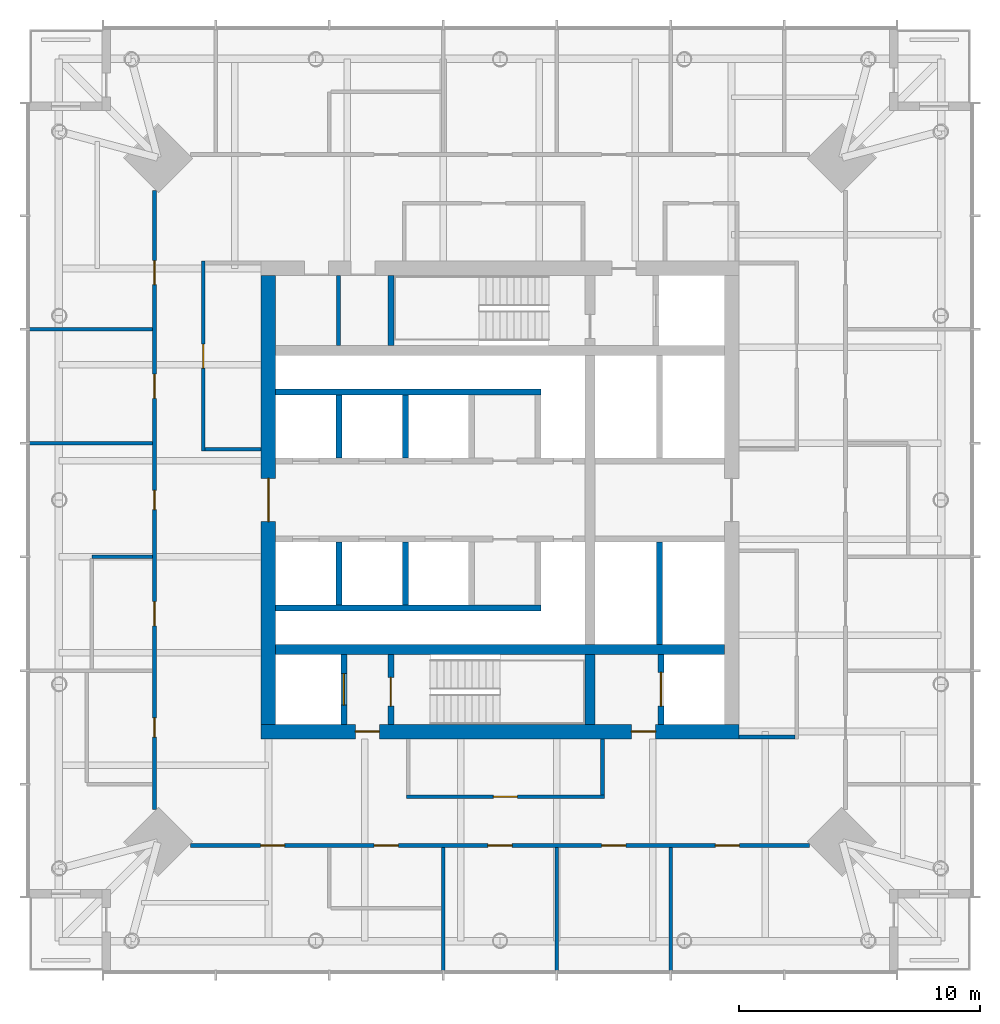
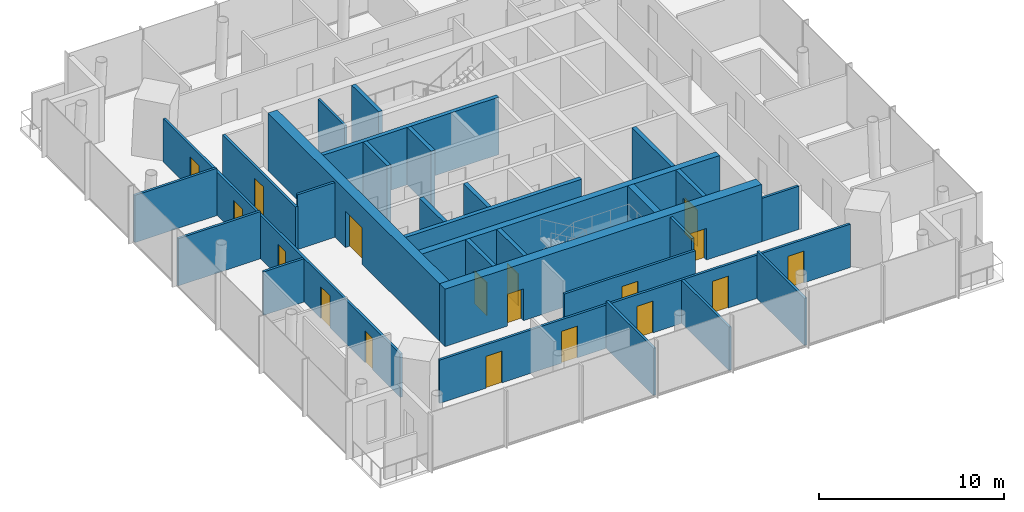
# One storey, part 4 of 7: 29 walls, 18 doors, 18 openings.
"""IFC4 building model written with IfcOpenShell, lengths in metres."""

from ifc_helpers import new_model, si_unit, direction, frame, frame_2d, origin, place, context, subcontext, project, spatial, rectangle, extrude, material, layer, layer_set, type_object, element, fill, save


model = new_model("IFC4")

# Units and contexts
model_context = context("Model", 3, precision=1e-05, world=origin(), true_north=direction((0.0, 1.0)))
body_context = subcontext(model_context, "Body", "Model", "MODEL_VIEW")
ifc_project = project(units=[si_unit("LENGTHUNIT", "METRE"), si_unit("AREAUNIT", "SQUARE_METRE"), si_unit("VOLUMEUNIT", "CUBIC_METRE"), si_unit("PLANEANGLEUNIT", "RADIAN"), si_unit("MASSUNIT", "GRAM", prefix="KILO")], contexts=[model_context])

# Site, building, storey
site_placement = place(None, origin())
site = spatial("IfcSite", under=ifc_project, at=site_placement, CompositionType="ELEMENT")
building_placement = place(site_placement, origin())
building = spatial("IfcBuilding", under=site, at=building_placement, Name="Ostroluk Exchange", CompositionType="ELEMENT")
storey_placement = place(building_placement, frame((0.0, 0.0, 199.60009765625)))
storey = spatial("IfcBuildingStorey", under=building, at=storey_placement, Name="L51", CompositionType="ELEMENT", Elevation=199.60009765625)

# Walls
ifc_material_1 = material(Name="Concrete blockwork", Category="masonry")
ifc_layer_1 = layer(ifc_material_1, 0.14990234375)
ifc_layer_set_1 = layer_set([ifc_layer_1], Name="Blockwork plant room wall 150")
wall_type_1 = type_object("IfcWallType", Name="Blockwork plant room wall 150", PredefinedType="SOLIDWALL", material=ifc_layer_set_1)
wall_1_placement = place(storey_placement, frame((38.303955078125, 52.39990234375, 0.0), z_axis=(0.0, 0.0, 1.0), x_axis=(0.0, 1.0, 0.0)))
element("IfcWall", 1, at=wall_1_placement, inside=storey, type_object=wall_type_1, Name="Core room wall", PredefinedType="SOLIDWALL", context=body_context, shape_type="SweptSolid", body=[
    extrude(rectangle(XDim=2.900146484375, YDim=0.14990234375, at=frame_2d((1.4501953125, 0.0))), origin(), (0.0, 0.0, 1.0), 3.619873046875),
])
ifc_material_2 = material(Name="Concrete C50/60", Category="concrete")
ifc_layer_2 = layer(ifc_material_2, 0.39990234375)
ifc_layer_set_2 = layer_set([ifc_layer_2], Name="Core cross wall 400 C50/60")
wall_type_2 = type_object("IfcWallType", Name="Core cross wall 400 C50/60", PredefinedType="SHEAR", material=ifc_layer_set_2)
wall_2_placement = place(storey_placement, frame((35.699951171875, 39.800048828125, 0.0), z_axis=(0.0, 0.0, 1.0), x_axis=(1.0, 0.0, 0.0)))
element("IfcWall", 2, at=wall_2_placement, inside=storey, type_object=wall_type_2, Name="T1 core wall XS", PredefinedType="SHEAR", context=body_context, shape_type="SweptSolid", body=[
    extrude(rectangle(XDim=18.60009765625, YDim=0.39990234375, at=frame_2d((9.300048828125, 0.0))), origin(), (0.0, 0.0, 1.0), 3.7998046875),
])
wall_3_placement = place(storey_placement, frame((48.72998046875, 36.699951171875, 0.0), z_axis=(0.0, 0.0, 1.0), x_axis=(0.0, 1.0, 0.0)))
element("IfcWall", 3, at=wall_3_placement, inside=storey, type_object=wall_type_2, Name="T1 core wall YE1", PredefinedType="SHEAR", context=body_context, shape_type="SweptSolid", body=[
    extrude(rectangle(XDim=2.900146484375, YDim=0.39990234375, at=frame_2d((1.4501953125, 0.0))), origin(), (0.0, 0.0, 1.0), 3.7998046875),
])

# Wall, opening, door
ifc_material_3 = material(Name="Concrete C40/50", Category="concrete")
ifc_layer_3 = layer(ifc_material_3, 0.25)
ifc_layer_set_3 = layer_set([ifc_layer_3], Name="Core shaft wall 250")
wall_type_3 = type_object("IfcWallType", Name="Core shaft wall 250", PredefinedType="SHEAR", material=ifc_layer_set_3)
wall_4_placement = place(storey_placement, frame((38.52490234375, 36.699951171875, 0.0), z_axis=(0.0, 0.0, 1.0), x_axis=(0.0, 1.0, 0.0)))
wall_4 = element("IfcWall", 4, at=wall_4_placement, inside=storey, type_object=wall_type_3, Name="Firefighting lift shaft wall", PredefinedType="SHEAR", context=body_context, shape_type="SweptSolid", body=[
    extrude(rectangle(XDim=2.900146484375, YDim=0.25, at=frame_2d((1.4501953125, 0.0))), origin(), (0.0, 0.0, 1.0), 3.7998046875),
])
opening_1_placement = place(wall_4_placement, frame((0.800048828125, 0.0, 0.0)))
opening_1 = element("IfcOpeningElement", 5, at=opening_1_placement, cuts=wall_4, Name="Opening LD2", PredefinedType="OPENING", context=body_context, shape_type="SweptSolid", body=[
    extrude(rectangle(XDim=1.300048828125, YDim=2.199951171875, at=frame_2d((0.64990234375, 1.10009765625))), frame((0.0, 0.135009765625, 0.0), z_axis=(0.0, -1.0, 0.0), x_axis=(1.0, 0.0, 0.0)), (0.0, 0.0, 1.0), 0.27001953125),
])
ifc_material_4 = material(Name="Stainless steel", Category="steel")
door_type_1 = type_object("IfcDoorType", Name="Lift landing door E 60 1300 x 2200", OperationType="DOUBLE_DOOR_SLIDING", PredefinedType="DOOR", material=ifc_material_4)
door_1_placement = place(opening_1_placement, origin())
door_1 = element("IfcDoor", 6, at=door_1_placement, inside=storey, type_object=door_type_1, Name="Lift FL1 landing door", OperationType="DOUBLE_DOOR_SLIDING", OverallHeight=2.199951171875, OverallWidth=1.300048828125, PredefinedType="DOOR", context=body_context, shape_type="SweptSolid", body=[
    extrude(rectangle(XDim=1.300048828125, YDim=2.199951171875, at=frame_2d((0.64990234375, 1.10009765625))), frame((0.0, 0.02490234375, 0.0), z_axis=(0.0, -1.0, 0.0), x_axis=(1.0, 0.0, 0.0)), (0.0, 0.0, 1.0), 0.050048828125),
])
fill(opening_1, door_1)

wall_5_placement = place(storey_placement, frame((40.47509765625, 36.699951171875, 0.0), z_axis=(0.0, 0.0, 1.0), x_axis=(0.0, 1.0, 0.0)))
wall_5 = element("IfcWall", 7, at=wall_5_placement, inside=storey, type_object=wall_type_3, Name="Stair shaft wall", PredefinedType="SHEAR", context=body_context, shape_type="SweptSolid", body=[
    extrude(rectangle(XDim=2.900146484375, YDim=0.25, at=frame_2d((1.4501953125, 0.0))), origin(), (0.0, 0.0, 1.0), 3.7998046875),
])
opening_2_placement = place(wall_5_placement, frame((0.75, 0.0, 0.0)))
opening_2 = element("IfcOpeningElement", 8, at=opening_2_placement, cuts=wall_5, Name="Opening FD60S", PredefinedType="OPENING", context=body_context, shape_type="SweptSolid", body=[
    extrude(rectangle(XDim=1.199951171875, YDim=2.10009765625, at=frame_2d((0.60009765625, 1.050048828125))), frame((0.0, 0.135009765625, 0.0), z_axis=(0.0, -1.0, 0.0), x_axis=(1.0, 0.0, 0.0)), (0.0, 0.0, 1.0), 0.27001953125),
])
ifc_material_5 = material(Name="Steel", Category="steel")
door_type_2 = type_object("IfcDoorType", Name="Stair door EI 60 1200 x 2100", OperationType="SINGLE_SWING_LEFT", PredefinedType="DOOR", material=ifc_material_5)
door_2_placement = place(opening_2_placement, origin())
door_2 = element("IfcDoor", 9, at=door_2_placement, inside=storey, type_object=door_type_2, Name="Stair T1-S1 door", OperationType="SINGLE_SWING_LEFT", OverallHeight=2.10009765625, OverallWidth=1.199951171875, PredefinedType="DOOR", context=body_context, shape_type="SweptSolid", body=[
    extrude(rectangle(XDim=1.199951171875, YDim=2.10009765625, at=frame_2d((0.60009765625, 1.050048828125))), frame((0.0, 0.02490234375, 0.0), z_axis=(0.0, -1.0, 0.0), x_axis=(1.0, 0.0, 0.0)), (0.0, 0.0, 1.0), 0.050048828125),
])
fill(opening_2, door_2)

wall_6_placement = place(storey_placement, frame((51.675048828125, 36.699951171875, 0.0), z_axis=(0.0, 0.0, 1.0), x_axis=(0.0, 1.0, 0.0)))
wall_6 = element("IfcWall", 10, at=wall_6_placement, inside=storey, type_object=wall_type_3, Name="Service lift shaft wall", PredefinedType="SHEAR", context=body_context, shape_type="SweptSolid", body=[
    extrude(rectangle(XDim=2.900146484375, YDim=0.25, at=frame_2d((1.4501953125, 0.0))), origin(), (0.0, 0.0, 1.0), 3.7998046875),
])
opening_3_placement = place(wall_6_placement, frame((0.75, 0.0, 0.0)))
opening_3 = element("IfcOpeningElement", 11, at=opening_3_placement, cuts=wall_6, Name="Opening LD3", PredefinedType="OPENING", context=body_context, shape_type="SweptSolid", body=[
    extrude(rectangle(XDim=1.39990234375, YDim=2.39990234375, at=frame_2d((0.699951171875, 1.199951171875))), frame((0.0, 0.135009765625, 0.0), z_axis=(0.0, -1.0, 0.0), x_axis=(1.0, 0.0, 0.0)), (0.0, 0.0, 1.0), 0.27001953125),
])
ifc_material_6 = material(Name="Stainless steel", Category="steel")
door_type_3 = type_object("IfcDoorType", Name="Goods lift landing door E 60 1400 x 2400", OperationType="DOUBLE_DOOR_SLIDING", PredefinedType="DOOR", material=ifc_material_6)
door_3_placement = place(opening_3_placement, origin())
door_3 = element("IfcDoor", 12, at=door_3_placement, inside=storey, type_object=door_type_3, Name="Lift SL1 landing door", OperationType="DOUBLE_DOOR_SLIDING", OverallHeight=2.39990234375, OverallWidth=1.39990234375, PredefinedType="DOOR", context=body_context, shape_type="SweptSolid", body=[
    extrude(rectangle(XDim=1.39990234375, YDim=2.39990234375, at=frame_2d((0.699951171875, 1.199951171875))), frame((0.0, 0.02490234375, 0.0), z_axis=(0.0, -1.0, 0.0), x_axis=(1.0, 0.0, 0.0)), (0.0, 0.0, 1.0), 0.050048828125),
])
fill(opening_3, door_3)

# Walls
wall_7_placement = place(storey_placement, frame((40.47509765625, 52.39990234375, 0.0), z_axis=(0.0, 0.0, 1.0), x_axis=(0.0, 1.0, 0.0)))
element("IfcWall", 13, at=wall_7_placement, inside=storey, type_object=wall_type_3, Name="Stair shaft wall", PredefinedType="SHEAR", context=body_context, shape_type="SweptSolid", body=[
    extrude(rectangle(XDim=2.900146484375, YDim=0.25, at=frame_2d((1.4501953125, 0.0))), origin(), (0.0, 0.0, 1.0), 3.7998046875),
])
for number, where, z_axis, x_axis, name in (
    (14, (38.324951171875, 47.75, 0.0), (0.0, 0.0, 1.0), (0.0, 1.0, 0.0), "Lift shaft wall"),
    (15, (41.074951171875, 47.75, 0.0), (0.0, 0.0, 1.0), (0.0, 1.0, 0.0), "Lift shaft wall"),
):
    element("IfcWall", number, at=place(storey_placement, frame(where, z_axis=z_axis, x_axis=x_axis)), inside=storey, type_object=wall_type_3, Name=name, PredefinedType="SHEAR", context=body_context, shape_type="SweptSolid", body=[
        extrude(rectangle(XDim=2.60009765625, YDim=0.25, at=frame_2d((1.300048828125, 0.0))), origin(), (0.0, 0.0, 1.0), 3.7998046875),
    ])
wall_8_placement = place(storey_placement, frame((35.699951171875, 50.47509765625, 0.0), z_axis=(0.0, 0.0, 1.0), x_axis=(1.0, 0.0, 0.0)))
element("IfcWall", 16, at=wall_8_placement, inside=storey, type_object=wall_type_3, Name="Lift shaft wall", PredefinedType="SHEAR", context=body_context, shape_type="SweptSolid", body=[
    extrude(rectangle(XDim=11.0, YDim=0.25, at=frame_2d((5.5, 0.0))), origin(), (0.0, 0.0, 1.0), 3.7998046875),
])
for number, where, z_axis, x_axis, name in (
    (17, (38.324951171875, 44.25, 0.0), (0.0, 0.0, 1.0), (0.0, -1.0, 0.0), "Lift shaft wall"),
    (18, (41.074951171875, 44.25, 0.0), (0.0, 0.0, 1.0), (0.0, -1.0, 0.0), "Lift shaft wall"),
):
    element("IfcWall", number, at=place(storey_placement, frame(where, z_axis=z_axis, x_axis=x_axis)), inside=storey, type_object=wall_type_3, Name=name, PredefinedType="SHEAR", context=body_context, shape_type="SweptSolid", body=[
        extrude(rectangle(XDim=2.60009765625, YDim=0.25, at=frame_2d((1.300048828125, 0.0))), origin(), (0.0, 0.0, 1.0), 3.7998046875),
    ])
wall_9_placement = place(storey_placement, frame((35.699951171875, 41.52490234375, 0.0), z_axis=(0.0, 0.0, 1.0), x_axis=(1.0, 0.0, 0.0)))
element("IfcWall", 19, at=wall_9_placement, inside=storey, type_object=wall_type_3, Name="Lift shaft wall", PredefinedType="SHEAR", context=body_context, shape_type="SweptSolid", body=[
    extrude(rectangle(XDim=11.0, YDim=0.25, at=frame_2d((5.5, 0.0))), origin(), (0.0, 0.0, 1.0), 3.7998046875),
])
wall_10_placement = place(storey_placement, frame((51.614990234375, 44.25, 0.0), z_axis=(0.0, 0.0, 1.0), x_axis=(0.0, -1.0, 0.0)))
element("IfcWall", 20, at=wall_10_placement, inside=storey, type_object=wall_type_3, Name="Lift shaft wall", PredefinedType="SHEAR", context=body_context, shape_type="SweptSolid", body=[
    extrude(rectangle(XDim=4.25, YDim=0.25, at=frame_2d((2.125, 0.0))), origin(), (0.0, 0.0, 1.0), 3.7998046875),
])

# Wall, openings, doors
ifc_material_7 = material(Name="Concrete C50/60", Category="concrete")
ifc_layer_4 = layer(ifc_material_7, 0.60009765625)
ifc_layer_set_4 = layer_set([ifc_layer_4], Name="Core wall 600 C50/60")
wall_type_4 = type_object("IfcWallType", Name="Core wall 600 C50/60", PredefinedType="SHEAR", material=ifc_layer_set_4)
wall_11_placement = place(storey_placement, frame((35.10009765625, 36.39990234375, 0.0), z_axis=(0.0, 0.0, 1.0), x_axis=(1.0, 0.0, 0.0)))
wall_11 = element("IfcWall", 21, at=wall_11_placement, inside=storey, type_object=wall_type_4, Name="T1 core wall S", PredefinedType="SHEAR", context=body_context, shape_type="SweptSolid", body=[
    extrude(rectangle(XDim=19.7998046875, YDim=0.60009765625, at=frame_2d((9.89990234375, 0.0))), origin(), (0.0, 0.0, 1.0), 3.7998046875),
])
opening_4_placement = place(wall_11_placement, frame((3.89990234375, 0.0, 0.0)))
opening_4 = element("IfcOpeningElement", 22, at=opening_4_placement, cuts=wall_11, Name="Opening FD60", PredefinedType="OPENING", context=body_context, shape_type="SweptSolid", body=[
    extrude(rectangle(XDim=1.0, YDim=2.10009765625, at=frame_2d((0.5, 1.050048828125))), frame((0.0, 0.31005859375, 0.0), z_axis=(0.0, -1.0, 0.0), x_axis=(1.0, 0.0, 0.0)), (0.0, 0.0, 1.0), 0.6201171875),
])
opening_5_placement = place(wall_11_placement, frame((15.35009765625, 0.0, 0.0)))
opening_5 = element("IfcOpeningElement", 23, at=opening_5_placement, cuts=wall_11, Name="Opening FD60", PredefinedType="OPENING", context=body_context, shape_type="SweptSolid", body=[
    extrude(rectangle(XDim=1.0, YDim=2.10009765625, at=frame_2d((0.5, 1.050048828125))), frame((0.0, 0.31005859375, 0.0), z_axis=(0.0, -1.0, 0.0), x_axis=(1.0, 0.0, 0.0)), (0.0, 0.0, 1.0), 0.6201171875),
])
ifc_material_8 = material(Name="Steel", Category="steel")
door_type_4 = type_object("IfcDoorType", Name="Fire door EI 60 1000 x 2100", OperationType="SINGLE_SWING_LEFT", PredefinedType="DOOR", material=ifc_material_8)
door_4_placement = place(opening_4_placement, origin())
door_4 = element("IfcDoor", 24, at=door_4_placement, inside=storey, type_object=door_type_4, Name="Firefighting lobby door", OperationType="SINGLE_SWING_LEFT", OverallHeight=2.10009765625, OverallWidth=1.0, PredefinedType="DOOR", context=body_context, shape_type="SweptSolid", body=[
    extrude(rectangle(XDim=1.0, YDim=2.10009765625, at=frame_2d((0.5, 1.050048828125))), frame((0.0, 0.02490234375, 0.0), z_axis=(0.0, -1.0, 0.0), x_axis=(1.0, 0.0, 0.0)), (0.0, 0.0, 1.0), 0.050048828125),
])
fill(opening_4, door_4)
door_5_placement = place(opening_5_placement, origin())
door_5 = element("IfcDoor", 25, at=door_5_placement, inside=storey, type_object=door_type_4, Name="Service lobby door", OperationType="SINGLE_SWING_RIGHT", OverallHeight=2.10009765625, OverallWidth=1.0, PredefinedType="DOOR", context=body_context, shape_type="SweptSolid", body=[
    extrude(rectangle(XDim=1.0, YDim=2.10009765625, at=frame_2d((0.5, 1.050048828125))), frame((0.0, 0.02490234375, 0.0), z_axis=(0.0, -1.0, 0.0), x_axis=(1.0, 0.0, 0.0)), (0.0, 0.0, 1.0), 0.050048828125),
])
fill(opening_5, door_5)

# Wall, opening, door
wall_12_placement = place(storey_placement, frame((35.39990234375, 36.699951171875, 0.0), z_axis=(0.0, 0.0, 1.0), x_axis=(0.0, 1.0, 0.0)))
wall_12 = element("IfcWall", 26, at=wall_12_placement, inside=storey, type_object=wall_type_4, Name="T1 core wall W", PredefinedType="SHEAR", context=body_context, shape_type="SweptSolid", body=[
    extrude(rectangle(XDim=18.60009765625, YDim=0.60009765625, at=frame_2d((9.300048828125, 0.0))), origin(), (0.0, 0.0, 1.0), 3.7998046875),
])
opening_6_placement = place(wall_12_placement, frame((8.39990234375, 0.0, 0.0)))
opening_6 = element("IfcOpeningElement", 27, at=opening_6_placement, cuts=wall_12, Name="Opening FD30D", PredefinedType="OPENING", context=body_context, shape_type="SweptSolid", body=[
    extrude(rectangle(XDim=1.800048828125, YDim=2.39990234375, at=frame_2d((0.89990234375, 1.199951171875))), frame((0.0, 0.31005859375, 0.0), z_axis=(0.0, -1.0, 0.0), x_axis=(1.0, 0.0, 0.0)), (0.0, 0.0, 1.0), 0.6201171875),
])
ifc_material_9 = material(Name="Timber", Category="wood")
door_type_5 = type_object("IfcDoorType", Name="Lobby double door EI 30 1800 x 2400", OperationType="DOUBLE_DOOR_SINGLE_SWING", PredefinedType="DOOR", material=ifc_material_9)
door_6_placement = place(opening_6_placement, origin())
door_6 = element("IfcDoor", 28, at=door_6_placement, inside=storey, type_object=door_type_5, Name="Lift lobby doors", OperationType="DOUBLE_DOOR_SINGLE_SWING", OverallHeight=2.39990234375, OverallWidth=1.800048828125, PredefinedType="DOOR", context=body_context, shape_type="SweptSolid", body=[
    extrude(rectangle(XDim=1.800048828125, YDim=2.39990234375, at=frame_2d((0.89990234375, 1.199951171875))), frame((0.0, 0.02490234375, 0.0), z_axis=(0.0, -1.0, 0.0), x_axis=(1.0, 0.0, 0.0)), (0.0, 0.0, 1.0), 0.050048828125),
])
fill(opening_6, door_6)

# Wall
ifc_material_10 = material(Name="Gypsum plasterboard partition", Category="gypsum")
ifc_layer_5 = layer(ifc_material_10, 0.14990234375)
ifc_layer_set_5 = layer_set([ifc_layer_5], Name="Plasterboard partition 150")
wall_type_5 = type_object("IfcWallType", Name="Plasterboard partition 150", PredefinedType="PARTITIONING", material=ifc_layer_set_5)
wall_13_placement = place(storey_placement, frame((54.89990234375, 36.175048828125, 0.0), z_axis=(0.0, 0.0, 1.0), x_axis=(1.0, 0.0, 0.0)))
element("IfcWall", 29, at=wall_13_placement, inside=storey, type_object=wall_type_5, Name="Partition", PredefinedType="PARTITIONING", context=body_context, shape_type="SweptSolid", body=[
    extrude(rectangle(XDim=2.3251953125, YDim=0.14990234375, at=frame_2d((1.16259765625, 0.0))), origin(), (0.0, 0.0, 1.0), 2.866943359375),
])

# Wall, opening, door
wall_14_placement = place(storey_placement, frame((32.699951171875, 55.89990234375, 0.0), z_axis=(0.0, 0.0, 1.0), x_axis=(0.0, -1.0, 0.0)))
wall_14 = element("IfcWall", 30, at=wall_14_placement, inside=storey, type_object=wall_type_5, Name="Partition", PredefinedType="PARTITIONING", context=body_context, shape_type="SweptSolid", body=[
    extrude(rectangle(XDim=7.875, YDim=0.14990234375, at=frame_2d((3.9375, 0.0))), origin(), (0.0, 0.0, 1.0), 2.866943359375),
])
opening_7_placement = place(wall_14_placement, frame((3.4375, 0.0, 0.0)))
opening_7 = element("IfcOpeningElement", 31, at=opening_7_placement, cuts=wall_14, Name="Opening D-03", PredefinedType="OPENING", context=body_context, shape_type="SweptSolid", body=[
    extrude(rectangle(XDim=1.0, YDim=2.10009765625, at=frame_2d((0.5, 1.050048828125))), frame((0.0, 0.0849609375, 0.0), z_axis=(0.0, -1.0, 0.0), x_axis=(1.0, 0.0, 0.0)), (0.0, 0.0, 1.0), 0.169921875),
])
ifc_material_11 = material(Name="Timber", Category="wood")
door_type_6 = type_object("IfcDoorType", Name="Internal door 1000 x 2100", OperationType="SINGLE_SWING_LEFT", PredefinedType="DOOR", material=ifc_material_11)
door_7_placement = place(opening_7_placement, origin())
door_7 = element("IfcDoor", 32, at=door_7_placement, inside=storey, type_object=door_type_6, Name="Staff room door", OperationType="SINGLE_SWING_LEFT", OverallHeight=2.10009765625, OverallWidth=1.0, PredefinedType="DOOR", context=body_context, shape_type="SweptSolid", body=[
    extrude(rectangle(XDim=1.0, YDim=2.10009765625, at=frame_2d((0.5, 1.050048828125))), frame((0.0, 0.02490234375, 0.0), z_axis=(0.0, -1.0, 0.0), x_axis=(1.0, 0.0, 0.0)), (0.0, 0.0, 1.0), 0.050048828125),
])
fill(opening_7, door_7)

# Wall
wall_15_placement = place(storey_placement, frame((35.10009765625, 48.10009765625, 0.0), z_axis=(0.0, 0.0, 1.0), x_axis=(-1.0, 0.0, 0.0)))
element("IfcWall", 33, at=wall_15_placement, inside=storey, type_object=wall_type_5, Name="Partition", PredefinedType="PARTITIONING", context=body_context, shape_type="SweptSolid", body=[
    extrude(rectangle(XDim=2.3251953125, YDim=0.14990234375, at=frame_2d((1.16259765625, 0.0))), origin(), (0.0, 0.0, 1.0), 3.619873046875),
])

# Wall, opening, door
wall_16_placement = place(storey_placement, frame((41.125, 33.699951171875, 0.0), z_axis=(0.0, 0.0, 1.0), x_axis=(1.0, 0.0, 0.0)))
wall_16 = element("IfcWall", 34, at=wall_16_placement, inside=storey, type_object=wall_type_5, Name="Partition", PredefinedType="PARTITIONING", context=body_context, shape_type="SweptSolid", body=[
    extrude(rectangle(XDim=8.199951171875, YDim=0.14990234375, at=frame_2d((4.10009765625, 0.0))), origin(), (0.0, 0.0, 1.0), 2.866943359375),
])
opening_8_placement = place(wall_16_placement, frame((3.60009765625, 0.0, 0.0)))
opening_8 = element("IfcOpeningElement", 35, at=opening_8_placement, cuts=wall_16, Name="Opening D-03", PredefinedType="OPENING", context=body_context, shape_type="SweptSolid", body=[
    extrude(rectangle(XDim=1.0, YDim=2.10009765625, at=frame_2d((0.5, 1.050048828125))), frame((0.0, 0.0849609375, 0.0), z_axis=(0.0, -1.0, 0.0), x_axis=(1.0, 0.0, 0.0)), (0.0, 0.0, 1.0), 0.169921875),
])
door_8_placement = place(opening_8_placement, origin())
door_8 = element("IfcDoor", 36, at=door_8_placement, inside=storey, type_object=door_type_6, Name="Staff room door", OperationType="SINGLE_SWING_LEFT", OverallHeight=2.10009765625, OverallWidth=1.0, PredefinedType="DOOR", context=body_context, shape_type="SweptSolid", body=[
    extrude(rectangle(XDim=1.0, YDim=2.10009765625, at=frame_2d((0.5, 1.050048828125))), frame((0.0, 0.02490234375, 0.0), z_axis=(0.0, -1.0, 0.0), x_axis=(1.0, 0.0, 0.0)), (0.0, 0.0, 1.0), 0.050048828125),
])
fill(opening_8, door_8)

# Wall
wall_17_placement = place(storey_placement, frame((49.25, 36.10009765625, 0.0), z_axis=(0.0, 0.0, 1.0), x_axis=(0.0, -1.0, 0.0)))
element("IfcWall", 37, at=wall_17_placement, inside=storey, type_object=wall_type_5, Name="Partition", PredefinedType="PARTITIONING", context=body_context, shape_type="SweptSolid", body=[
    extrude(rectangle(XDim=2.3251953125, YDim=0.14990234375, at=frame_2d((1.16259765625, 0.0))), origin(), (0.0, 0.0, 1.0), 3.619873046875),
])

# Wall, openings, doors
wall_18_placement = place(storey_placement, frame((30.675048828125, 58.835693359375, 0.0), z_axis=(0.0, 0.0, 1.0), x_axis=(0.0, -1.0, 0.0)))
wall_18 = element("IfcWall", 38, at=wall_18_placement, inside=storey, type_object=wall_type_5, Name="Partition", PredefinedType="PARTITIONING", context=body_context, shape_type="SweptSolid", body=[
    extrude(rectangle(XDim=25.67138671875, YDim=0.14990234375, at=frame_2d((12.835693359375, 0.0))), origin(), (0.0, 0.0, 1.0), 2.866943359375),
])
opening_9_placement = place(wall_18_placement, frame((2.9072265625, 0.0, 0.0)))
opening_9 = element("IfcOpeningElement", 39, at=opening_9_placement, cuts=wall_18, Name="Opening D-03", PredefinedType="OPENING", context=body_context, shape_type="SweptSolid", body=[
    extrude(rectangle(XDim=1.0, YDim=2.10009765625, at=frame_2d((0.5, 1.050048828125))), frame((0.0, 0.0849609375, 0.0), z_axis=(0.0, -1.0, 0.0), x_axis=(1.0, 0.0, 0.0)), (0.0, 0.0, 1.0), 0.169921875),
])
opening_10_placement = place(wall_18_placement, frame((7.62158203125, 0.0, 0.0)))
opening_10 = element("IfcOpeningElement", 40, at=opening_10_placement, cuts=wall_18, Name="Opening D-03", PredefinedType="OPENING", context=body_context, shape_type="SweptSolid", body=[
    extrude(rectangle(XDim=1.0, YDim=2.10009765625, at=frame_2d((0.5, 1.050048828125))), frame((0.0, 0.0849609375, 0.0), z_axis=(0.0, -1.0, 0.0), x_axis=(1.0, 0.0, 0.0)), (0.0, 0.0, 1.0), 0.169921875),
])
opening_11_placement = place(wall_18_placement, frame((12.435791015625, 0.0, 0.0)))
opening_11 = element("IfcOpeningElement", 41, at=opening_11_placement, cuts=wall_18, Name="Opening D-06", PredefinedType="OPENING", context=body_context, shape_type="SweptSolid", body=[
    extrude(rectangle(XDim=0.800048828125, YDim=2.10009765625, at=frame_2d((0.39990234375, 1.050048828125))), frame((0.0, 0.0849609375, 0.0), z_axis=(0.0, -1.0, 0.0), x_axis=(1.0, 0.0, 0.0)), (0.0, 0.0, 1.0), 0.169921875),
])
opening_12_placement = place(wall_18_placement, frame((17.050048828125, 0.0, 0.0)))
opening_12 = element("IfcOpeningElement", 42, at=opening_12_placement, cuts=wall_18, Name="Opening D-03", PredefinedType="OPENING", context=body_context, shape_type="SweptSolid", body=[
    extrude(rectangle(XDim=1.0, YDim=2.10009765625, at=frame_2d((0.5, 1.050048828125))), frame((0.0, 0.0849609375, 0.0), z_axis=(0.0, -1.0, 0.0), x_axis=(1.0, 0.0, 0.0)), (0.0, 0.0, 1.0), 0.169921875),
])
opening_13_placement = place(wall_18_placement, frame((21.8642578125, 0.0, 0.0)))
opening_13 = element("IfcOpeningElement", 43, at=opening_13_placement, cuts=wall_18, Name="Opening D-06", PredefinedType="OPENING", context=body_context, shape_type="SweptSolid", body=[
    extrude(rectangle(XDim=0.800048828125, YDim=2.10009765625, at=frame_2d((0.39990234375, 1.050048828125))), frame((0.0, 0.0849609375, 0.0), z_axis=(0.0, -1.0, 0.0), x_axis=(1.0, 0.0, 0.0)), (0.0, 0.0, 1.0), 0.169921875),
])
door_9_placement = place(opening_9_placement, origin())
door_9 = element("IfcDoor", 44, at=door_9_placement, inside=storey, type_object=door_type_6, Name="Office suite door", OperationType="SINGLE_SWING_LEFT", OverallHeight=2.10009765625, OverallWidth=1.0, PredefinedType="DOOR", context=body_context, shape_type="SweptSolid", body=[
    extrude(rectangle(XDim=1.0, YDim=2.10009765625, at=frame_2d((0.5, 1.050048828125))), frame((0.0, 0.02490234375, 0.0), z_axis=(0.0, -1.0, 0.0), x_axis=(1.0, 0.0, 0.0)), (0.0, 0.0, 1.0), 0.050048828125),
])
fill(opening_9, door_9)
door_10_placement = place(opening_10_placement, origin())
door_10 = element("IfcDoor", 45, at=door_10_placement, inside=storey, type_object=door_type_6, Name="Meeting room door", OperationType="SINGLE_SWING_LEFT", OverallHeight=2.10009765625, OverallWidth=1.0, PredefinedType="DOOR", context=body_context, shape_type="SweptSolid", body=[
    extrude(rectangle(XDim=1.0, YDim=2.10009765625, at=frame_2d((0.5, 1.050048828125))), frame((0.0, 0.02490234375, 0.0), z_axis=(0.0, -1.0, 0.0), x_axis=(1.0, 0.0, 0.0)), (0.0, 0.0, 1.0), 0.050048828125),
])
fill(opening_10, door_10)
door_11_placement = place(opening_12_placement, origin())
door_11 = element("IfcDoor", 46, at=door_11_placement, inside=storey, type_object=door_type_6, Name="Accessible WC door", OperationType="SINGLE_SWING_RIGHT", OverallHeight=2.10009765625, OverallWidth=1.0, PredefinedType="DOOR", context=body_context, shape_type="SweptSolid", body=[
    extrude(rectangle(XDim=1.0, YDim=2.10009765625, at=frame_2d((0.5, 1.050048828125))), frame((0.0, 0.02490234375, 0.0), z_axis=(0.0, -1.0, 0.0), x_axis=(1.0, 0.0, 0.0)), (0.0, 0.0, 1.0), 0.050048828125),
])
fill(opening_12, door_11)
ifc_material_12 = material(Name="Timber", Category="wood")
door_type_7 = type_object("IfcDoorType", Name="Toilet door 800 x 2100", OperationType="SINGLE_SWING_LEFT", PredefinedType="DOOR", material=ifc_material_12)
door_12_placement = place(opening_11_placement, origin())
door_12 = element("IfcDoor", 47, at=door_12_placement, inside=storey, type_object=door_type_7, Name="WC female door", OperationType="SINGLE_SWING_LEFT", OverallHeight=2.10009765625, OverallWidth=0.800048828125, PredefinedType="DOOR", context=body_context, shape_type="SweptSolid", body=[
    extrude(rectangle(XDim=0.800048828125, YDim=2.10009765625, at=frame_2d((0.39990234375, 1.050048828125))), frame((0.0, 0.02490234375, 0.0), z_axis=(0.0, -1.0, 0.0), x_axis=(1.0, 0.0, 0.0)), (0.0, 0.0, 1.0), 0.050048828125),
])
fill(opening_11, door_12)
door_13_placement = place(opening_13_placement, origin())
door_13 = element("IfcDoor", 48, at=door_13_placement, inside=storey, type_object=door_type_7, Name="WC male door", OperationType="SINGLE_SWING_RIGHT", OverallHeight=2.10009765625, OverallWidth=0.800048828125, PredefinedType="DOOR", context=body_context, shape_type="SweptSolid", body=[
    extrude(rectangle(XDim=0.800048828125, YDim=2.10009765625, at=frame_2d((0.39990234375, 1.050048828125))), frame((0.0, 0.02490234375, 0.0), z_axis=(0.0, -1.0, 0.0), x_axis=(1.0, 0.0, 0.0)), (0.0, 0.0, 1.0), 0.050048828125),
])
fill(opening_13, door_13)

# Walls
for number, where, z_axis, x_axis, name in (
    (49, (30.60009765625, 53.071533203125, 0.0), (0.0, 0.0, 1.0), (-1.0, 0.0, 0.0), "Partition"),
    (50, (30.60009765625, 48.357177734375, 0.0), (0.0, 0.0, 1.0), (-1.0, 0.0, 0.0), "Partition"),
):
    element("IfcWall", number, at=place(storey_placement, frame(where, z_axis=z_axis, x_axis=x_axis)), inside=storey, type_object=wall_type_5, Name=name, PredefinedType="PARTITIONING", context=body_context, shape_type="SweptSolid", body=[
        extrude(rectangle(XDim=5.14013671875, YDim=0.14990234375, at=frame_2d((2.570068359375, 0.0))), origin(), (0.0, 0.0, 1.0), 3.119873046875),
    ])
wall_19_placement = place(storey_placement, frame((30.60009765625, 43.642822265625, 0.0), z_axis=(0.0, 0.0, 1.0), x_axis=(-1.0, 0.0, 0.0)))
element("IfcWall", 51, at=wall_19_placement, inside=storey, type_object=wall_type_5, Name="Partition", PredefinedType="PARTITIONING", context=body_context, shape_type="SweptSolid", body=[
    extrude(rectangle(XDim=2.525146484375, YDim=0.14990234375, at=frame_2d((1.2626953125, 0.0))), origin(), (0.0, 0.0, 1.0), 2.866943359375),
])

# Wall, openings, doors
wall_20_placement = place(storey_placement, frame((32.164306640625, 31.675048828125, 0.0), z_axis=(0.0, 0.0, 1.0), x_axis=(1.0, 0.0, 0.0)))
wall_20 = element("IfcWall", 52, at=wall_20_placement, inside=storey, type_object=wall_type_5, Name="Partition", PredefinedType="PARTITIONING", context=body_context, shape_type="SweptSolid", body=[
    extrude(rectangle(XDim=25.67138671875, YDim=0.14990234375, at=frame_2d((12.835693359375, 0.0))), origin(), (0.0, 0.0, 1.0), 2.866943359375),
])
opening_14_placement = place(wall_20_placement, frame((2.9072265625, 0.0, 0.0)))
opening_14 = element("IfcOpeningElement", 53, at=opening_14_placement, cuts=wall_20, Name="Opening D-03", PredefinedType="OPENING", context=body_context, shape_type="SweptSolid", body=[
    extrude(rectangle(XDim=1.0, YDim=2.10009765625, at=frame_2d((0.5, 1.050048828125))), frame((0.0, 0.0849609375, 0.0), z_axis=(0.0, -1.0, 0.0), x_axis=(1.0, 0.0, 0.0)), (0.0, 0.0, 1.0), 0.169921875),
])
opening_15_placement = place(wall_20_placement, frame((7.62158203125, 0.0, 0.0)))
opening_15 = element("IfcOpeningElement", 54, at=opening_15_placement, cuts=wall_20, Name="Opening D-03", PredefinedType="OPENING", context=body_context, shape_type="SweptSolid", body=[
    extrude(rectangle(XDim=1.0, YDim=2.10009765625, at=frame_2d((0.5, 1.050048828125))), frame((0.0, 0.0849609375, 0.0), z_axis=(0.0, -1.0, 0.0), x_axis=(1.0, 0.0, 0.0)), (0.0, 0.0, 1.0), 0.169921875),
])
opening_16_placement = place(wall_20_placement, frame((12.335693359375, 0.0, 0.0)))
opening_16 = element("IfcOpeningElement", 55, at=opening_16_placement, cuts=wall_20, Name="Opening D-03", PredefinedType="OPENING", context=body_context, shape_type="SweptSolid", body=[
    extrude(rectangle(XDim=1.0, YDim=2.10009765625, at=frame_2d((0.5, 1.050048828125))), frame((0.0, 0.0849609375, 0.0), z_axis=(0.0, -1.0, 0.0), x_axis=(1.0, 0.0, 0.0)), (0.0, 0.0, 1.0), 0.169921875),
])
opening_17_placement = place(wall_20_placement, frame((17.050048828125, 0.0, 0.0)))
opening_17 = element("IfcOpeningElement", 56, at=opening_17_placement, cuts=wall_20, Name="Opening D-03", PredefinedType="OPENING", context=body_context, shape_type="SweptSolid", body=[
    extrude(rectangle(XDim=1.0, YDim=2.10009765625, at=frame_2d((0.5, 1.050048828125))), frame((0.0, 0.0849609375, 0.0), z_axis=(0.0, -1.0, 0.0), x_axis=(1.0, 0.0, 0.0)), (0.0, 0.0, 1.0), 0.169921875),
])
opening_18_placement = place(wall_20_placement, frame((21.764404296875, 0.0, 0.0)))
opening_18 = element("IfcOpeningElement", 57, at=opening_18_placement, cuts=wall_20, Name="Opening D-03", PredefinedType="OPENING", context=body_context, shape_type="SweptSolid", body=[
    extrude(rectangle(XDim=1.0, YDim=2.10009765625, at=frame_2d((0.5, 1.050048828125))), frame((0.0, 0.0849609375, 0.0), z_axis=(0.0, -1.0, 0.0), x_axis=(1.0, 0.0, 0.0)), (0.0, 0.0, 1.0), 0.169921875),
])
door_14_placement = place(opening_14_placement, origin())
door_14 = element("IfcDoor", 58, at=door_14_placement, inside=storey, type_object=door_type_6, Name="Office suite door", OperationType="SINGLE_SWING_LEFT", OverallHeight=2.10009765625, OverallWidth=1.0, PredefinedType="DOOR", context=body_context, shape_type="SweptSolid", body=[
    extrude(rectangle(XDim=1.0, YDim=2.10009765625, at=frame_2d((0.5, 1.050048828125))), frame((0.0, 0.02490234375, 0.0), z_axis=(0.0, -1.0, 0.0), x_axis=(1.0, 0.0, 0.0)), (0.0, 0.0, 1.0), 0.050048828125),
])
fill(opening_14, door_14)
door_15_placement = place(opening_15_placement, origin())
door_15 = element("IfcDoor", 59, at=door_15_placement, inside=storey, type_object=door_type_6, Name="Pantry door", OperationType="SINGLE_SWING_LEFT", OverallHeight=2.10009765625, OverallWidth=1.0, PredefinedType="DOOR", context=body_context, shape_type="SweptSolid", body=[
    extrude(rectangle(XDim=1.0, YDim=2.10009765625, at=frame_2d((0.5, 1.050048828125))), frame((0.0, 0.02490234375, 0.0), z_axis=(0.0, -1.0, 0.0), x_axis=(1.0, 0.0, 0.0)), (0.0, 0.0, 1.0), 0.050048828125),
])
fill(opening_15, door_15)
door_16_placement = place(opening_16_placement, origin())
door_16 = element("IfcDoor", 60, at=door_16_placement, inside=storey, type_object=door_type_6, Name="Office door", OperationType="SINGLE_SWING_LEFT", OverallHeight=2.10009765625, OverallWidth=1.0, PredefinedType="DOOR", context=body_context, shape_type="SweptSolid", body=[
    extrude(rectangle(XDim=1.0, YDim=2.10009765625, at=frame_2d((0.5, 1.050048828125))), frame((0.0, 0.02490234375, 0.0), z_axis=(0.0, -1.0, 0.0), x_axis=(1.0, 0.0, 0.0)), (0.0, 0.0, 1.0), 0.050048828125),
])
fill(opening_16, door_16)
door_17_placement = place(opening_17_placement, origin())
door_17 = element("IfcDoor", 61, at=door_17_placement, inside=storey, type_object=door_type_6, Name="Office door", OperationType="SINGLE_SWING_RIGHT", OverallHeight=2.10009765625, OverallWidth=1.0, PredefinedType="DOOR", context=body_context, shape_type="SweptSolid", body=[
    extrude(rectangle(XDim=1.0, YDim=2.10009765625, at=frame_2d((0.5, 1.050048828125))), frame((0.0, 0.02490234375, 0.0), z_axis=(0.0, -1.0, 0.0), x_axis=(1.0, 0.0, 0.0)), (0.0, 0.0, 1.0), 0.050048828125),
])
fill(opening_17, door_17)
door_18_placement = place(opening_18_placement, origin())
door_18 = element("IfcDoor", 62, at=door_18_placement, inside=storey, type_object=door_type_6, Name="Office door", OperationType="SINGLE_SWING_RIGHT", OverallHeight=2.10009765625, OverallWidth=1.0, PredefinedType="DOOR", context=body_context, shape_type="SweptSolid", body=[
    extrude(rectangle(XDim=1.0, YDim=2.10009765625, at=frame_2d((0.5, 1.050048828125))), frame((0.0, 0.02490234375, 0.0), z_axis=(0.0, -1.0, 0.0), x_axis=(1.0, 0.0, 0.0)), (0.0, 0.0, 1.0), 0.050048828125),
])
fill(opening_18, door_18)

# Walls
wall_21_placement = place(storey_placement, frame((42.642822265625, 31.60009765625, 0.0), z_axis=(0.0, 0.0, 1.0), x_axis=(0.0, -1.0, 0.0)))
element("IfcWall", 63, at=wall_21_placement, inside=storey, type_object=wall_type_5, Name="Partition", PredefinedType="PARTITIONING", context=body_context, shape_type="SweptSolid", body=[
    extrude(rectangle(XDim=5.14013671875, YDim=0.14990234375, at=frame_2d((2.570068359375, 0.0))), origin(), (0.0, 0.0, 1.0), 3.119873046875),
])
wall_22_placement = place(storey_placement, frame((47.357177734375, 31.60009765625, 0.0), z_axis=(0.0, 0.0, 1.0), x_axis=(0.0, -1.0, 0.0)))
element("IfcWall", 64, at=wall_22_placement, inside=storey, type_object=wall_type_5, Name="Partition", PredefinedType="PARTITIONING", context=body_context, shape_type="SweptSolid", body=[
    extrude(rectangle(XDim=5.14013671875, YDim=0.14990234375, at=frame_2d((2.570068359375, 0.0))), origin(), (0.0, 0.0, 1.0), 2.866943359375),
])
wall_23_placement = place(storey_placement, frame((52.071533203125, 31.60009765625, 0.0), z_axis=(0.0, 0.0, 1.0), x_axis=(0.0, -1.0, 0.0)))
element("IfcWall", 65, at=wall_23_placement, inside=storey, type_object=wall_type_5, Name="Partition", PredefinedType="PARTITIONING", context=body_context, shape_type="SweptSolid", body=[
    extrude(rectangle(XDim=5.14013671875, YDim=0.14990234375, at=frame_2d((2.570068359375, 0.0))), origin(), (0.0, 0.0, 1.0), 3.119873046875),
])

save(model, "model.ifc")
